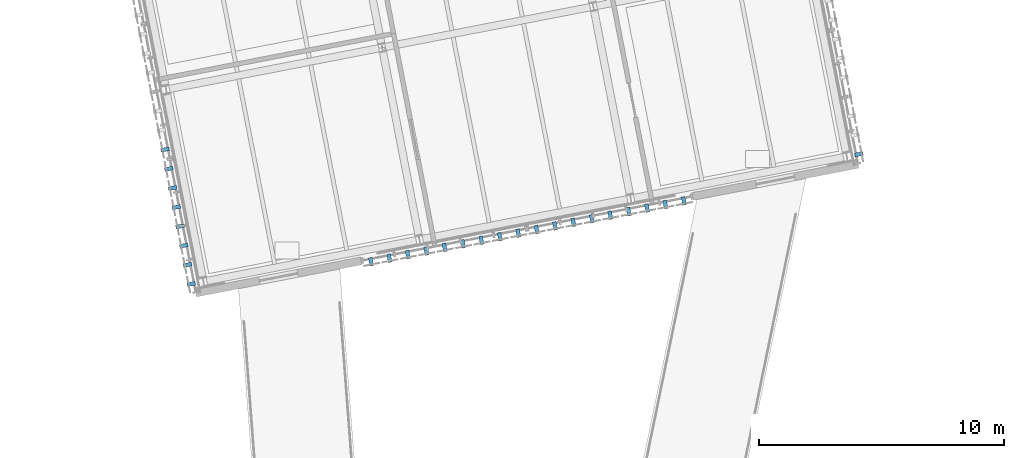
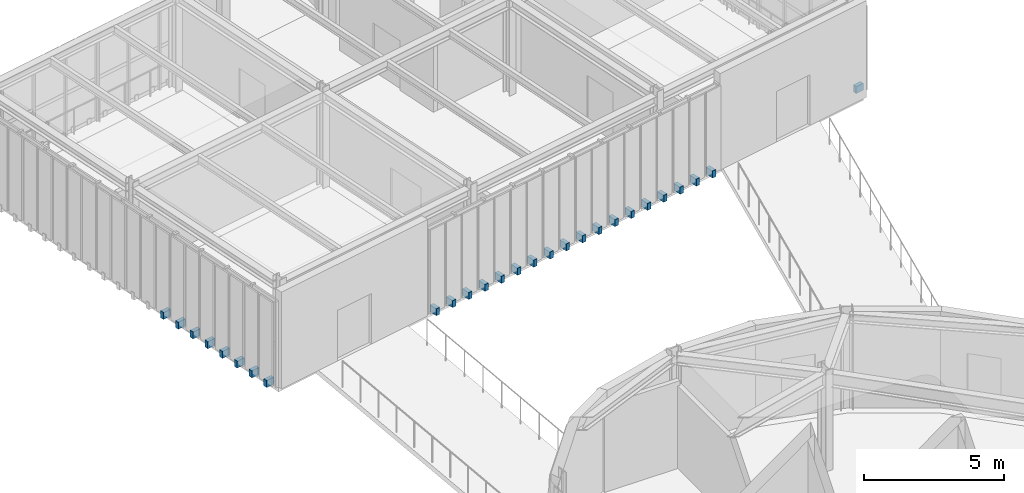
# One storey, part 85 of 103: 27 discrete accessories.
"""IFC4 building model written with IfcOpenShell, lengths in metres."""

from ifc_helpers import new_model, si_unit, direction, frame, origin, origin_2d, place, context, subcontext, project, spatial, rectangle, extrude, material, type_object, element, save


model = new_model("IFC4")

# Units and contexts
model_context = context("Model", 3, precision=1e-05, world=origin(), true_north=direction((0.0, 1.0)))
body_context = subcontext(model_context, "Body", "Model", "MODEL_VIEW")
ifc_project = project(units=[si_unit("LENGTHUNIT", "METRE"), si_unit("AREAUNIT", "SQUARE_METRE"), si_unit("VOLUMEUNIT", "CUBIC_METRE"), si_unit("PLANEANGLEUNIT", "RADIAN"), si_unit("MASSUNIT", "GRAM", prefix="KILO")], contexts=[model_context])

# Site, building, storey
site_placement = place(None, origin())
site = spatial("IfcSite", under=ifc_project, at=site_placement, CompositionType="ELEMENT")
building_placement = place(site_placement, origin())
building = spatial("IfcBuilding", under=site, at=building_placement, Name="Varnklinge Art Gallery", CompositionType="ELEMENT")
storey_placement = place(building_placement, frame((0.0, 0.0, 5.10009765625)))
storey = spatial("IfcBuildingStorey", under=building, at=storey_placement, Name="L01", CompositionType="ELEMENT", Elevation=5.10009765625)

# Discrete accessories
ifc_material = material(Name="Steel S355", Category="steel")
discrete_accessory_type = type_object("IfcDiscreteAccessoryType", Name="BRK-01", PredefinedType="BRACKET", material=ifc_material)
for number, where, z_axis, x_axis, name in (
    (1, (70.726806640625, 62.90283203125, -0.0703125), (0.0, 0.0, 1.0), (0.981627183448, 0.190808995377, 0.0), "L01 Lattice Outrigger Bracket 1.2.1"),
    (2, (71.4794921875, 63.04931640625, -0.0703125), (0.0, 0.0, 1.0), (0.981627183448, 0.190808995377, 0.0), "L01 Lattice Outrigger Bracket 1.2.2"),
    (3, (72.23193359375, 63.195556640625, -0.0703125), (0.0, 0.0, 1.0), (0.981627183448, 0.190808995377, 0.0), "L01 Lattice Outrigger Bracket 1.2.3"),
    (4, (72.984619140625, 63.341796875, -0.0703125), (0.0, 0.0, 1.0), (0.981627183448, 0.190808995377, 0.0), "L01 Lattice Outrigger Bracket 1.2.4"),
    (5, (73.7373046875, 63.488037109375, -0.0703125), (0.0, 0.0, 1.0), (0.981627183448, 0.190808995377, 0.0), "L01 Lattice Outrigger Bracket 1.2.5"),
    (6, (74.48974609375, 63.634521484375, -0.0703125), (0.0, 0.0, 1.0), (0.981627183448, 0.190808995377, 0.0), "L01 Lattice Outrigger Bracket 1.2.6"),
    (7, (75.2421875, 63.78076171875, -0.0703125), (0.0, 0.0, 1.0), (0.981627183448, 0.190808995377, 0.0), "L01 Lattice Outrigger Bracket 1.2.7"),
    (8, (75.994873046875, 63.927001953125, -0.0703125), (0.0, 0.0, 1.0), (0.981627183448, 0.190808995377, 0.0), "L01 Lattice Outrigger Bracket 1.2.8"),
    (9, (76.74755859375, 64.0732421875, -0.0703125), (0.0, 0.0, 1.0), (0.981627183448, 0.190808995377, 0.0), "L01 Lattice Outrigger Bracket 1.2.9"),
    (10, (77.5, 64.219482421875, -0.0703125), (0.0, 0.0, 1.0), (0.981627183448, 0.190808995377, 0.0), "L01 Lattice Outrigger Bracket 1.3.1"),
    (11, (78.252685546875, 64.36572265625, -0.0703125), (0.0, 0.0, 1.0), (0.981627183448, 0.190808995377, 0.0), "L01 Lattice Outrigger Bracket 1.3.2"),
    (12, (79.005126953125, 64.51220703125, -0.0703125), (0.0, 0.0, 1.0), (0.981627183448, 0.190808995377, 0.0), "L01 Lattice Outrigger Bracket 1.3.3"),
    (13, (79.7578125, 64.658447265625, -0.0703125), (0.0, 0.0, 1.0), (0.981627183448, 0.190808995377, 0.0), "L01 Lattice Outrigger Bracket 1.3.4"),
    (14, (80.510498046875, 64.8046875, -0.0703125), (0.0, 0.0, 1.0), (0.981627183448, 0.190808995377, 0.0), "L01 Lattice Outrigger Bracket 1.3.5"),
    (15, (81.262939453125, 64.950927734375, -0.0703125), (0.0, 0.0, 1.0), (0.981627183448, 0.190808995377, 0.0), "L01 Lattice Outrigger Bracket 1.3.6"),
    (16, (82.015625, 65.09716796875, -0.0703125), (0.0, 0.0, 1.0), (0.981627183448, 0.190808995377, 0.0), "L01 Lattice Outrigger Bracket 1.3.7"),
    (17, (82.768310546875, 65.243408203125, -0.0703125), (0.0, 0.0, 1.0), (0.981627183448, 0.190808995377, 0.0), "L01 Lattice Outrigger Bracket 1.3.8"),
    (18, (83.520751953125, 65.389892578125, -0.0703125), (0.0, 0.0, 1.0), (0.981627183448, 0.190808995377, 0.0), "L01 Lattice Outrigger Bracket 1.3.9"),
    (19, (90.680908203125, 67.301025390625, -0.0703125), (0.0, 0.0, 1.0), (-0.190808995377, 0.981627183448, 0.0), "L01 Lattice Outrigger Bracket 2.1.1"),
    (20, (62.303466796875, 67.489990234375, -0.0703125), (0.0, 0.0, 1.0), (0.190808995377, -0.981627183448, 0.0), "L01 Lattice Outrigger Bracket 4.2.7"),
    (21, (62.4560546875, 66.70458984375, -0.0703125), (0.0, 0.0, 1.0), (0.190808995377, -0.981627183448, 0.0), "L01 Lattice Outrigger Bracket 4.3.1"),
    (22, (62.60888671875, 65.91943359375, -0.0703125), (0.0, 0.0, 1.0), (0.190808995377, -0.981627183448, 0.0), "L01 Lattice Outrigger Bracket 4.3.2"),
    (23, (62.761474609375, 65.134033203125, -0.0703125), (0.0, 0.0, 1.0), (0.190808995377, -0.981627183448, 0.0), "L01 Lattice Outrigger Bracket 4.3.3"),
    (24, (62.9140625, 64.348876953125, -0.0703125), (0.0, 0.0, 1.0), (0.190808995377, -0.981627183448, 0.0), "L01 Lattice Outrigger Bracket 4.3.4"),
    (25, (63.066650390625, 63.5634765625, -0.0703125), (0.0, 0.0, 1.0), (0.190808995377, -0.981627183448, 0.0), "L01 Lattice Outrigger Bracket 4.3.5"),
    (26, (63.21923828125, 62.7783203125, -0.0703125), (0.0, 0.0, 1.0), (0.190808995377, -0.981627183448, 0.0), "L01 Lattice Outrigger Bracket 4.3.6"),
    (27, (63.3720703125, 61.992919921875, -0.0703125), (0.0, 0.0, 1.0), (0.190808995377, -0.981627183448, 0.0), "L01 Lattice Outrigger Bracket 4.3.7"),
):
    element("IfcDiscreteAccessory", number, at=place(storey_placement, frame(where, z_axis=z_axis, x_axis=x_axis)), inside=storey, type_object=discrete_accessory_type, Name=name, PredefinedType="BRACKET", context=body_context, shape_type="SweptSolid", body=[
        extrude(rectangle(XDim=0.159912109375, YDim=0.340087890625, at=origin_2d()), origin(), (0.0, 0.0, 1.0), 0.300048828125),
    ])

save(model, "model.ifc")
